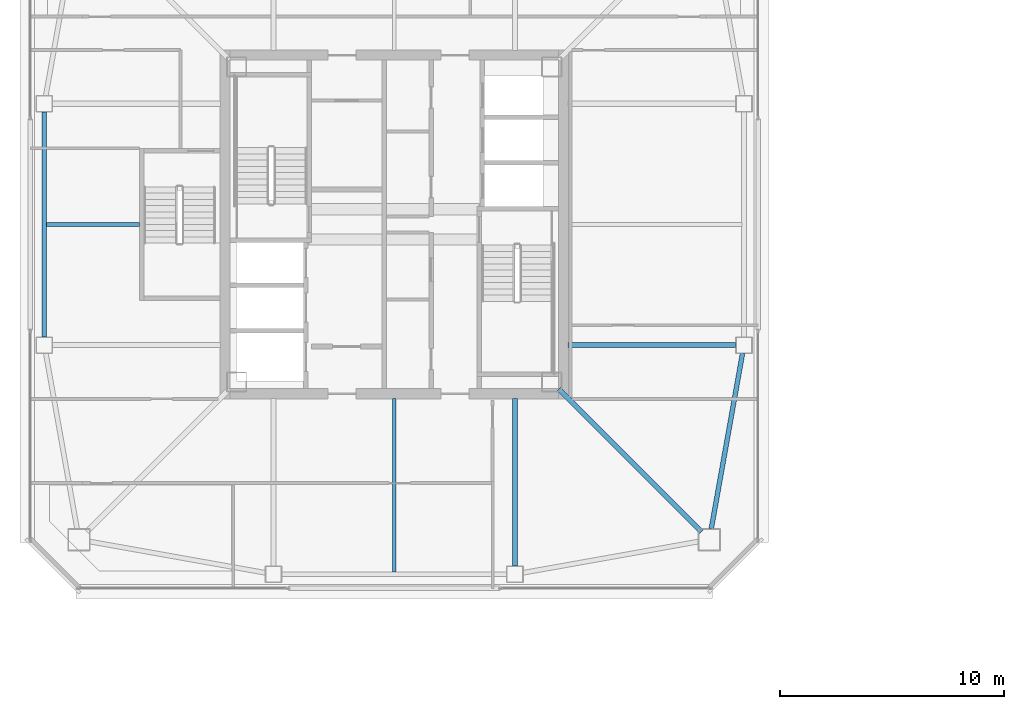
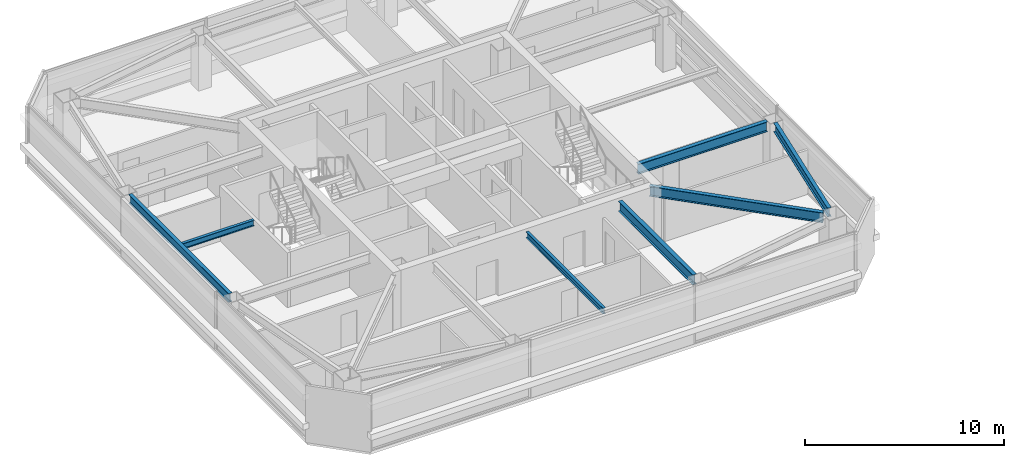
# One storey, part 7 of 39: 7 beams.
"""IFC4 building model written with IfcOpenShell, lengths in metres."""

from ifc_helpers import new_model, si_unit, direction, frame, origin, origin_2d, place, context, subcontext, project, spatial, i_section, extrude, material, material_profile, profile_set, type_object, element, save


model = new_model("IFC4")

# Units and contexts
model_context = context("Model", 3, precision=1e-05, world=origin(), true_north=direction((0.0, 1.0)))
body_context = subcontext(model_context, "Body", "Model", "MODEL_VIEW")
ifc_project = project(units=[si_unit("LENGTHUNIT", "METRE"), si_unit("AREAUNIT", "SQUARE_METRE"), si_unit("VOLUMEUNIT", "CUBIC_METRE"), si_unit("PLANEANGLEUNIT", "RADIAN"), si_unit("MASSUNIT", "GRAM", prefix="KILO")], contexts=[model_context])

# Site, building, storey
site_placement = place(None, origin())
site = spatial("IfcSite", under=ifc_project, at=site_placement, CompositionType="ELEMENT")
building_placement = place(site_placement, origin())
building = spatial("IfcBuilding", under=site, at=building_placement, Name="Tashvorn Skyway Center", CompositionType="ELEMENT")
storey_placement = place(building_placement, frame((0.0, 0.0, 207.75)))
storey = spatial("IfcBuildingStorey", under=building, at=storey_placement, Name="L56", CompositionType="ELEMENT", Elevation=207.75)

# Beams
ifc_material = material(Name="Steel ASTM A992 Grade 50", Category="steel")
ifc_material_profile_1 = material_profile(ifc_material, i_section(OverallWidth=0.22998046875, OverallDepth=0.616943359375, WebThickness=0.01318359375, FlangeThickness=0.022216796875, at=origin_2d()), Name="W24X94")
ifc_profile_set_1 = profile_set([ifc_material_profile_1], Name="Steel ASTM A992 Grade 50")
beam_type_1 = type_object("IfcBeamType", Name="BM-BEAM-W24X94", PredefinedType="BEAM", material=ifc_profile_set_1)
beam_1_placement = place(storey_placement, frame((55.75, 18.25, 3.0615234375), z_axis=(-0.707106781187, 0.707106781187, 0.0), x_axis=(-0.707106781187, -0.707106781187, 0.0)))
element("IfcBeam", 1, at=beam_1_placement, inside=storey, type_object=beam_type_1, Name="Tower 1 L56 Primary Floor Girder MC-SE", PredefinedType="BEAM", context=body_context, shape_type="SweptSolid", body=[
    extrude(i_section(OverallWidth=0.22998046875, OverallDepth=0.616943359375, WebThickness=0.01318359375, FlangeThickness=0.022216796875, at=origin_2d()), origin(), (0.0, 0.0, 1.0), 9.030029296875),
])
for number, where, z_axis, x_axis, name in (
    (2, (47.39990234375, 16.719970703125, 3.0615234375), (0.0, 1.0, 0.0), (-1.0, 0.0, 0.0), "Tower 1 L56 Primary Floor Girder FC-S2"),
    (3, (57.280029296875, 26.60009765625, 3.0615234375), (-1.0, 0.0, 0.0), (0.0, -1.0, 0.0), "Tower 1 L56 Primary Floor Girder FC-E1"),
):
    element("IfcBeam", number, at=place(storey_placement, frame(where, z_axis=z_axis, x_axis=x_axis)), inside=storey, type_object=beam_type_1, Name=name, PredefinedType="BEAM", context=body_context, shape_type="SweptSolid", body=[
        extrude(i_section(OverallWidth=0.22998046875, OverallDepth=0.616943359375, WebThickness=0.01318359375, FlangeThickness=0.022216796875, at=origin_2d()), origin(), (0.0, 0.0, 1.0), 7.5),
    ])
ifc_material_profile_2 = material_profile(ifc_material, i_section(OverallWidth=0.1708984375, OverallDepth=0.35498046875, WebThickness=0.007080078125, FlangeThickness=0.01171875, at=origin_2d()), Name="W14X34")
ifc_profile_set_2 = profile_set([ifc_material_profile_2], Name="Steel ASTM A992 Grade 50")
beam_type_2 = type_object("IfcBeamType", Name="BM-JOIST-W14X34", PredefinedType="JOIST", material=ifc_profile_set_2)
beam_2_placement = place(storey_placement, frame((42.0, 24.2099609375, 3.1923828125), z_axis=(0.0, -1.0, 0.0), x_axis=(1.0, 0.0, 0.0)))
element("IfcBeam", 4, at=beam_2_placement, inside=storey, type_object=beam_type_2, Name="Tower 1 L56 Secondary Composite Joist JS", PredefinedType="JOIST", context=body_context, shape_type="SweptSolid", body=[
    extrude(i_section(OverallWidth=0.1708984375, OverallDepth=0.35498046875, WebThickness=0.007080078125, FlangeThickness=0.01171875, at=origin_2d()), origin(), (0.0, 0.0, 1.0), 7.762451171875),
])
beam_3_placement = place(storey_placement, frame((30.610107421875, 32.0, 3.1923828125), z_axis=(-1.0, 0.0, 0.0), x_axis=(0.0, -1.0, 0.0)))
element("IfcBeam", 5, at=beam_3_placement, inside=storey, type_object=beam_type_2, Name="Tower 1 L56 Secondary Composite Joist JW", PredefinedType="JOIST", context=body_context, shape_type="SweptSolid", body=[
    extrude(i_section(OverallWidth=0.1708984375, OverallDepth=0.35498046875, WebThickness=0.007080078125, FlangeThickness=0.01171875, at=origin_2d()), origin(), (0.0, 0.0, 1.0), 4.16259765625),
])
ifc_material_profile_3 = material_profile(ifc_material, i_section(OverallWidth=0.2109375, OverallDepth=0.5390625, WebThickness=0.01171875, FlangeThickness=0.018798828125, at=origin_2d()), Name="W21X73")
ifc_profile_set_3 = profile_set([ifc_material_profile_3], Name="Steel ASTM A992 Grade 50")
beam_type_3 = type_object("IfcBeamType", Name="BM-SPANDREL-W21X73", PredefinedType="SPANDREL", material=ifc_profile_set_3)
beam_4_placement = place(storey_placement, frame((56.186767578125, 18.38720703125, 3.1005859375), z_axis=(0.17541329759, 0.984494883191, 0.0), x_axis=(-0.984494883191, 0.17541329759, 0.0)))
element("IfcBeam", 6, at=beam_4_placement, inside=storey, type_object=beam_type_3, Name="Tower 1 L56 Spandrel Beam 04", PredefinedType="SPANDREL", context=body_context, shape_type="SweptSolid", body=[
    extrude(i_section(OverallWidth=0.2109375, OverallDepth=0.5390625, WebThickness=0.01171875, FlangeThickness=0.018798828125, at=origin_2d()), origin(), (0.0, 0.0, 1.0), 7.97216796875),
])
beam_5_placement = place(storey_placement, frame((26.35009765625, 37.030029296875, 3.1005859375), z_axis=(0.0, -1.0, 0.0), x_axis=(1.0, 0.0, 0.0)))
element("IfcBeam", 7, at=beam_5_placement, inside=storey, type_object=beam_type_3, Name="Tower 1 L56 Spandrel Beam 11", PredefinedType="SPANDREL", context=body_context, shape_type="SweptSolid", body=[
    extrude(i_section(OverallWidth=0.2109375, OverallDepth=0.5390625, WebThickness=0.01171875, FlangeThickness=0.018798828125, at=origin_2d()), origin(), (0.0, 0.0, 1.0), 10.06005859375),
])

save(model, "model.ifc")
